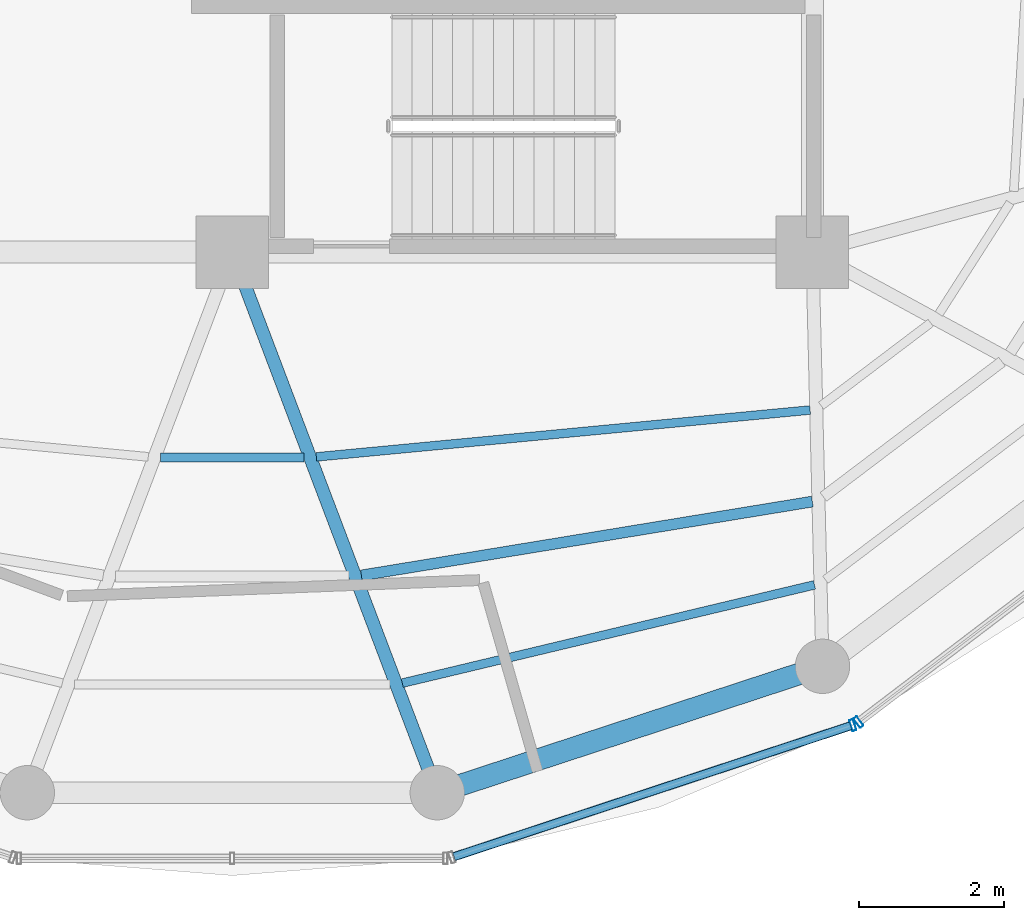
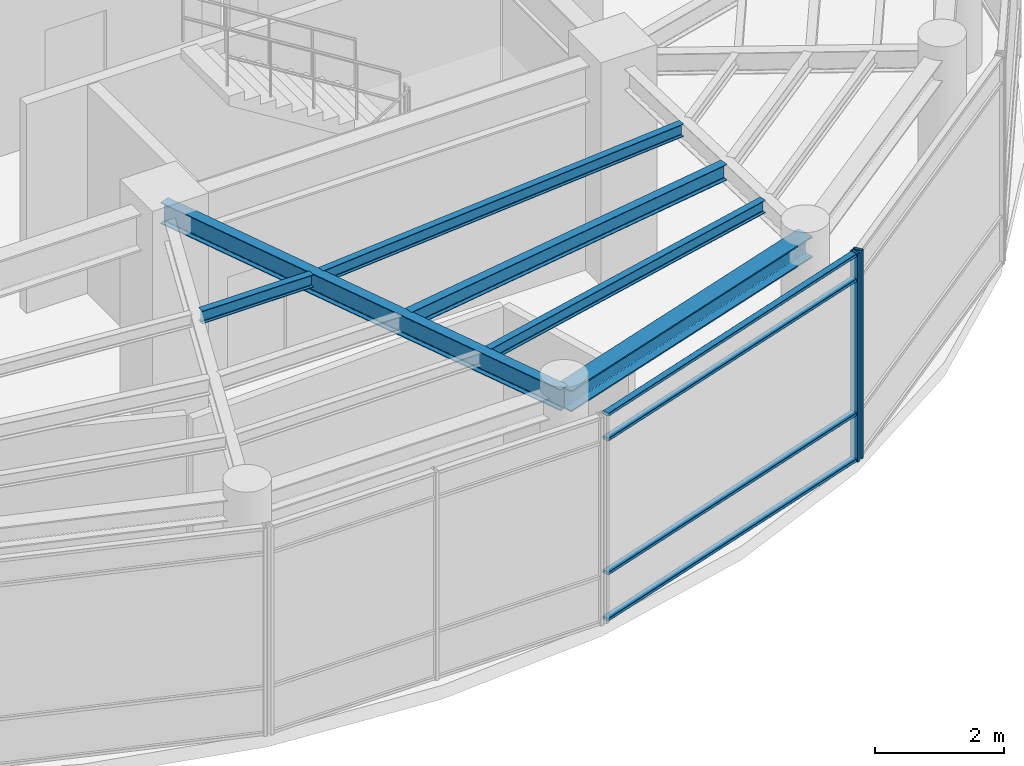
# One storey, part 6 of 19: 6 beams, 6 members, 2 elements without a shape of their own.
"""IFC4 building model written with IfcOpenShell, lengths in metres."""

from ifc_helpers import new_model, si_unit, direction, frame, origin, origin_2d, place, context, subcontext, project, spatial, hollow_rectangle, i_section, extrude, material, layer, layer_set, material_profile, profile_set, type_object, element, aggregate, save


model = new_model("IFC4")

# Units and contexts
model_context = context("Model", 3, precision=1e-05, world=origin(), true_north=direction((0.0, 1.0)))
body_context = subcontext(model_context, "Body", "Model", "MODEL_VIEW")
ifc_project = project(units=[si_unit("LENGTHUNIT", "METRE"), si_unit("AREAUNIT", "SQUARE_METRE"), si_unit("VOLUMEUNIT", "CUBIC_METRE"), si_unit("PLANEANGLEUNIT", "RADIAN"), si_unit("MASSUNIT", "GRAM", prefix="KILO")], contexts=[model_context])

# Site, building, storey
site_placement = place(None, origin())
site = spatial("IfcSite", under=ifc_project, at=site_placement, CompositionType="ELEMENT")
building_placement = place(site_placement, origin())
building = spatial("IfcBuilding", under=site, at=building_placement, Name="Kelanora Arch Commons", CompositionType="ELEMENT")
storey_placement = place(building_placement, frame((0.0, 0.0, 302.699951171875)))
storey = spatial("IfcBuildingStorey", under=building, at=storey_placement, Name="L77", CompositionType="ELEMENT", Elevation=302.699951171875)

# Beams
ifc_material_1 = material(Name="Steel S355", Category="steel")
ifc_material_profile_1 = material_profile(ifc_material_1, i_section(OverallWidth=0.14990234375, OverallDepth=0.300048828125, WebThickness=0.007080078125, FlangeThickness=0.0107421875, FilletRadius=0.014892578125, at=origin_2d()), Name="IPE300")
ifc_profile_set_1 = profile_set([ifc_material_profile_1], Name="Steel S355")
beam_type_1 = type_object("IfcBeamType", Name="BM-JST-01", PredefinedType="JOIST", material=ifc_profile_set_1)
beam_1_placement = place(storey_placement, frame((75.780029296875, 46.53955078125, 3.7900390625), z_axis=(0.986849654094, 0.16164083709, 0.0), x_axis=(-0.16164083709, 0.986849654094, 0.0)))
element("IfcBeam", 1, at=beam_1_placement, inside=storey, type_object=beam_type_1, Name="Secondary Chord Joist BJB-28 L77", PredefinedType="JOIST", context=body_context, shape_type="SweptSolid", body=[
    extrude(i_section(OverallWidth=0.14990234375, OverallDepth=0.300048828125, WebThickness=0.007080078125, FlangeThickness=0.0107421875, FilletRadius=0.014892578125, at=origin_2d()), origin(), (0.0, 0.0, 1.0), 6.302734375),
])
ifc_material_profile_2 = material_profile(ifc_material_1, i_section(OverallWidth=0.1201171875, OverallDepth=0.239990234375, WebThickness=0.006103515625, FlangeThickness=0.009765625, FilletRadius=0.014892578125, at=origin_2d()), Name="IPE240")
ifc_profile_set_2 = profile_set([ifc_material_profile_2], Name="Steel S355")
beam_type_2 = type_object("IfcBeamType", Name="BM-JST-02", PredefinedType="JOIST", material=ifc_profile_set_2)
beam_2_placement = place(storey_placement, frame((73.0107421875, 48.166259765625, 3.820068359375), z_axis=(1.0, 0.0, 0.0), x_axis=(0.0, 1.0, 0.0)))
element("IfcBeam", 2, at=beam_2_placement, inside=storey, type_object=beam_type_2, Name="Secondary Chord Joist BJA-26 L77", PredefinedType="JOIST", context=body_context, shape_type="SweptSolid", body=[
    extrude(i_section(OverallWidth=0.1201171875, OverallDepth=0.239990234375, WebThickness=0.006103515625, FlangeThickness=0.009765625, FilletRadius=0.014892578125, at=origin_2d()), origin(), (0.0, 0.0, 1.0), 1.978515625),
])
beam_3_placement = place(storey_placement, frame((75.158935546875, 48.17431640625, 3.820068359375), z_axis=(0.995523661296, 0.094512643594, 0.0), x_axis=(-0.094512643594, 0.995523661296, 0.0)))
element("IfcBeam", 3, at=beam_3_placement, inside=storey, type_object=beam_type_2, Name="Secondary Chord Joist BJA-28 L77", PredefinedType="JOIST", context=body_context, shape_type="SweptSolid", body=[
    extrude(i_section(OverallWidth=0.1201171875, OverallDepth=0.239990234375, WebThickness=0.006103515625, FlangeThickness=0.009765625, FilletRadius=0.014892578125, at=origin_2d()), origin(), (0.0, 0.0, 1.0), 6.840087890625),
])
beam_4_placement = place(storey_placement, frame((76.34423828125, 45.05419921875, 3.820068359375), z_axis=(0.972733556605, 0.231925479098, 0.0), x_axis=(-0.231925479098, 0.972733556605, 0.0)))
element("IfcBeam", 4, at=beam_4_placement, inside=storey, type_object=beam_type_2, Name="Secondary Chord Joist BJC-28 L77", PredefinedType="JOIST", context=body_context, shape_type="SweptSolid", body=[
    extrude(i_section(OverallWidth=0.1201171875, OverallDepth=0.239990234375, WebThickness=0.006103515625, FlangeThickness=0.009765625, FilletRadius=0.014892578125, at=origin_2d()), origin(), (0.0, 0.0, 1.0), 5.844482421875),
])
ifc_material_profile_3 = material_profile(ifc_material_1, i_section(OverallWidth=0.179931640625, OverallDepth=0.39990234375, WebThickness=0.008544921875, FlangeThickness=0.013427734375, FilletRadius=0.02099609375, at=origin_2d()), Name="IPE400")
ifc_profile_set_3 = profile_set([ifc_material_profile_3], Name="Steel S355")
beam_type_3 = type_object("IfcBeamType", Name="BM-RAD-Z5", PredefinedType="BEAM", material=ifc_profile_set_3)
beam_5_placement = place(storey_placement, frame((74.0, 51.0, 3.739990234375), z_axis=(0.354476114465, -0.93506506954, 0.0), x_axis=(0.93506506954, 0.354476114465, 0.0)))
element("IfcBeam", 5, at=beam_5_placement, inside=storey, type_object=beam_type_3, Name="Radial Floor Girder BR-28 L77", PredefinedType="BEAM", context=body_context, shape_type="SweptSolid", body=[
    extrude(i_section(OverallWidth=0.179931640625, OverallDepth=0.39990234375, WebThickness=0.008544921875, FlangeThickness=0.013427734375, FilletRadius=0.02099609375, at=origin_2d()), origin(), (0.0, 0.0, 1.0), 7.974853515625),
])
ifc_material_profile_4 = material_profile(ifc_material_1, i_section(OverallWidth=0.300048828125, OverallDepth=0.39990234375, WebThickness=0.013427734375, FlangeThickness=0.02392578125, FilletRadius=0.027099609375, at=origin_2d()), Name="HEB400")
ifc_profile_set_4 = profile_set([ifc_material_profile_4], Name="Steel S355")
beam_type_4 = type_object("IfcBeamType", Name="BM-SPN-Z4", PredefinedType="SPANDREL", material=ifc_profile_set_4)
beam_6_placement = place(storey_placement, frame((76.826904296875, 43.54296875, 3.739990234375), z_axis=(0.950140083071, 0.311823383572, 0.0), x_axis=(-0.311823383572, 0.950140083071, 0.0)))
element("IfcBeam", 6, at=beam_6_placement, inside=storey, type_object=beam_type_4, Name="Perimeter Spandrel Beam BS-28 L77", PredefinedType="SPANDREL", context=body_context, shape_type="SweptSolid", body=[
    extrude(i_section(OverallWidth=0.300048828125, OverallDepth=0.39990234375, WebThickness=0.013427734375, FlangeThickness=0.02392578125, FilletRadius=0.027099609375, at=origin_2d()), origin(), (0.0, 0.0, 1.0), 5.591796875),
])

# Curtain wall, member
ifc_material_2 = material(Name="Terracotta ceramic-fritted low-E glass and aluminium", Category="masonry")
ifc_layer = layer(ifc_material_2, 0.14990234375)
ifc_layer_set = layer_set([ifc_layer], Name="Terracotta ceramic-fritted low-E glass and aluminium")
curtain_wall_type = type_object("IfcCurtainWallType", Name="CW-SYS-06", PredefinedType="NOTDEFINED", material=ifc_layer_set)
curtain_wall_1_placement = place(storey_placement, origin())
curtain_wall_1 = element("IfcCurtainWall", 7, at=curtain_wall_1_placement, inside=storey, type_object=curtain_wall_type, Name="Unitised Curtain Wall L77-B14", PredefinedType="NOTDEFINED")
ifc_material_3 = material(Name="Powder-coated aluminium terracotta", Category="masonry")
ifc_material_profile_5 = material_profile(ifc_material_3, hollow_rectangle(XDim=0.159912109375, YDim=0.06005859375, WallThickness=0.0048828125, InnerFilletRadius=0.0048828125, OuterFilletRadius=0.010009765625, at=origin_2d()), Name="CWM160x60")
ifc_profile_set_5 = profile_set([ifc_material_profile_5], Name="Powder-coated aluminium terracotta")
member_type_1 = type_object("IfcMemberType", Name="CWM-STD", PredefinedType="MULLION", material=ifc_profile_set_5)
member_1_placement = place(storey_placement, frame((82.557373046875, 44.475830078125, 0.0), z_axis=(0.0, 0.0, 1.0), x_axis=(-0.313466845323, 0.949599145368, 0.0)))
member_1 = element("IfcMember", 8, at=member_1_placement, type_object=member_type_1, Name="CW-06 mullion 2", PredefinedType="MULLION", context=body_context, shape_type="SweptSolid", body=[
    extrude(hollow_rectangle(XDim=0.159912109375, YDim=0.06005859375, WallThickness=0.0048828125, InnerFilletRadius=0.0048828125, OuterFilletRadius=0.010009765625, at=origin_2d()), origin(), (0.0, 0.0, 1.0), 3.925048828125),
])

curtain_wall_2_placement = place(storey_placement, origin())
curtain_wall_2 = element("IfcCurtainWall", 9, at=curtain_wall_2_placement, inside=storey, type_object=curtain_wall_type, Name="Unitised Curtain Wall L77-B15", PredefinedType="NOTDEFINED")
member_2_placement = place(storey_placement, frame((82.6357421875, 44.517333984375, 0.0), z_axis=(0.0, 0.0, 1.0), x_axis=(-0.605595960801, 0.795772286688, 0.0)))
member_2 = element("IfcMember", 10, at=member_2_placement, type_object=member_type_1, Name="CW-06 mullion 1", PredefinedType="MULLION", context=body_context, shape_type="SweptSolid", body=[
    extrude(hollow_rectangle(XDim=0.159912109375, YDim=0.06005859375, WallThickness=0.0048828125, InnerFilletRadius=0.0048828125, OuterFilletRadius=0.010009765625, at=origin_2d()), origin(), (0.0, 0.0, 1.0), 3.925048828125),
])
aggregate(curtain_wall_2, [member_2])

# Member
ifc_material_profile_6 = material_profile(ifc_material_3, hollow_rectangle(XDim=0.1201171875, YDim=0.06005859375, WallThickness=0.0048828125, InnerFilletRadius=0.0048828125, OuterFilletRadius=0.010009765625, at=origin_2d()), Name="CWT120x60")
ifc_profile_set_6 = profile_set([ifc_material_profile_6], Name="Powder-coated aluminium terracotta")
member_type_2 = type_object("IfcMemberType", Name="CWT-STD", PredefinedType="USERDEFINED", material=ifc_profile_set_6)
member_3_placement = place(storey_placement, frame((77.057861328125, 42.660400390625, 0.030029296875), z_axis=(0.949590431956, 0.31349324002, 0.0), x_axis=(-0.31349324002, 0.949590431956, 0.0)))
member_3 = element("IfcMember", 11, at=member_3_placement, type_object=member_type_2, Name="CW-06 transom 1.1", ObjectType="TRANSOM", PredefinedType="USERDEFINED", context=body_context, shape_type="SweptSolid", body=[
    extrude(hollow_rectangle(XDim=0.1201171875, YDim=0.06005859375, WallThickness=0.0048828125, InnerFilletRadius=0.0048828125, OuterFilletRadius=0.010009765625, at=origin_2d()), origin(), (0.0, 0.0, 1.0), 5.761474609375),
])

member_4_placement = place(storey_placement, frame((77.057861328125, 42.660400390625, 0.900146484375), z_axis=(0.949590431956, 0.31349324002, 0.0), x_axis=(-0.31349324002, 0.949590431956, 0.0)))
member_4 = element("IfcMember", 12, at=member_4_placement, type_object=member_type_2, Name="CW-06 transom 1.2", ObjectType="TRANSOM", PredefinedType="USERDEFINED", context=body_context, shape_type="SweptSolid", body=[
    extrude(hollow_rectangle(XDim=0.1201171875, YDim=0.06005859375, WallThickness=0.0048828125, InnerFilletRadius=0.0048828125, OuterFilletRadius=0.010009765625, at=origin_2d()), origin(), (0.0, 0.0, 1.0), 5.761474609375),
])

member_5_placement = place(storey_placement, frame((77.057861328125, 42.660400390625, 3.425048828125), z_axis=(0.949590431956, 0.31349324002, 0.0), x_axis=(-0.31349324002, 0.949590431956, 0.0)))
member_5 = element("IfcMember", 13, at=member_5_placement, type_object=member_type_2, Name="CW-06 transom 1.3", ObjectType="TRANSOM", PredefinedType="USERDEFINED", context=body_context, shape_type="SweptSolid", body=[
    extrude(hollow_rectangle(XDim=0.1201171875, YDim=0.06005859375, WallThickness=0.0048828125, InnerFilletRadius=0.0048828125, OuterFilletRadius=0.010009765625, at=origin_2d()), origin(), (0.0, 0.0, 1.0), 5.761474609375),
])

member_6_placement = place(storey_placement, frame((77.057861328125, 42.660400390625, 3.89501953125), z_axis=(0.949590431956, 0.31349324002, 0.0), x_axis=(-0.31349324002, 0.949590431956, 0.0)))
member_6 = element("IfcMember", 14, at=member_6_placement, type_object=member_type_2, Name="CW-06 transom 1.4", ObjectType="TRANSOM", PredefinedType="USERDEFINED", context=body_context, shape_type="SweptSolid", body=[
    extrude(hollow_rectangle(XDim=0.1201171875, YDim=0.06005859375, WallThickness=0.0048828125, InnerFilletRadius=0.0048828125, OuterFilletRadius=0.010009765625, at=origin_2d()), origin(), (0.0, 0.0, 1.0), 5.761474609375),
])

aggregate(curtain_wall_1, [member_1, member_3, member_4, member_5, member_6])

save(model, "model.ifc")
